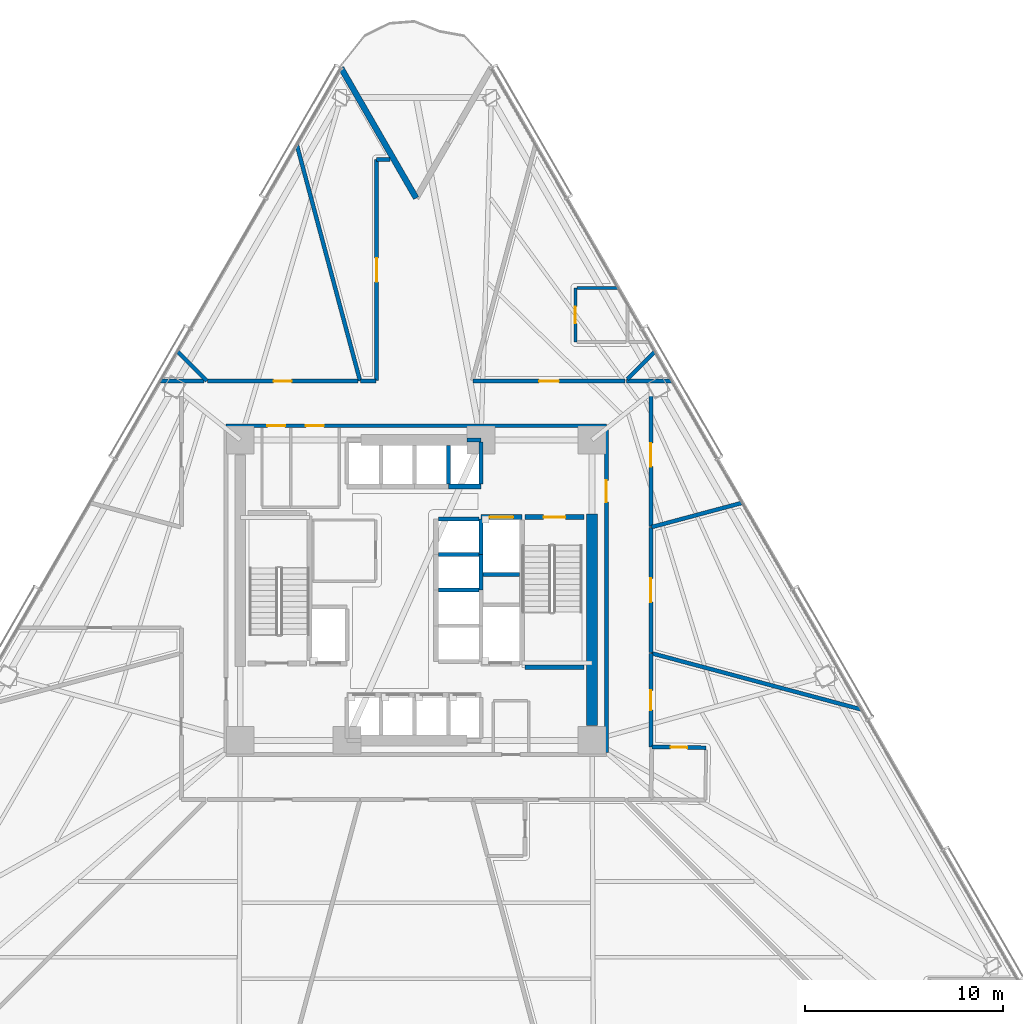
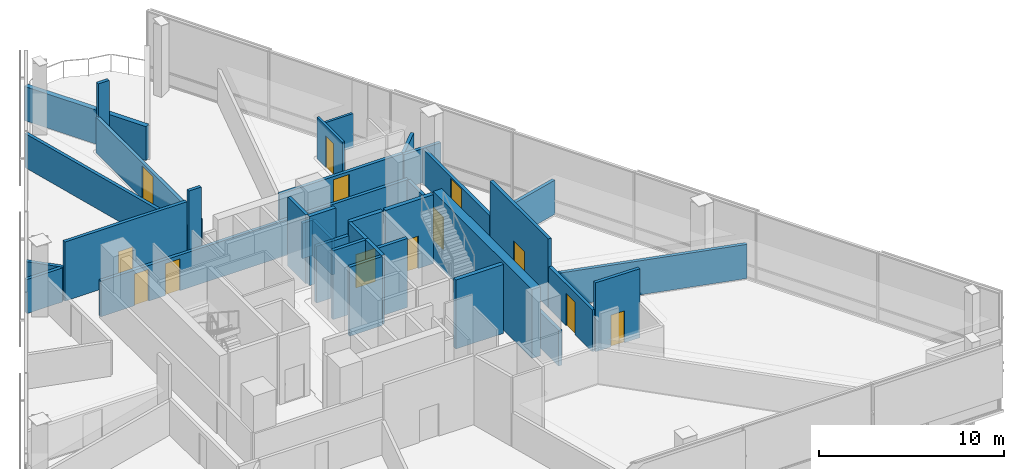
# One storey, part 9 of 17: 35 walls, 13 doors, 13 openings.
"""IFC4 building model written with IfcOpenShell, lengths in metres."""

from ifc_helpers import new_model, si_unit, direction, frame, frame_2d, origin, place, context, subcontext, project, spatial, rectangle, extrude, material, layer, layer_set, type_object, element, fill, save


model = new_model("IFC4")

# Units and contexts
model_context = context("Model", 3, precision=1e-05, world=origin(), true_north=direction((0.0, 1.0)))
body_context = subcontext(model_context, "Body", "Model", "MODEL_VIEW")
ifc_project = project(units=[si_unit("LENGTHUNIT", "METRE"), si_unit("AREAUNIT", "SQUARE_METRE"), si_unit("VOLUMEUNIT", "CUBIC_METRE"), si_unit("PLANEANGLEUNIT", "RADIAN"), si_unit("MASSUNIT", "GRAM", prefix="KILO")], contexts=[model_context])

# Site, building, storey
site_placement = place(None, origin())
site = spatial("IfcSite", under=ifc_project, at=site_placement, CompositionType="ELEMENT")
building_placement = place(site_placement, origin())
building = spatial("IfcBuilding", under=site, at=building_placement, Name="Tharavind Bronze Gate", CompositionType="ELEMENT")
storey_placement = place(building_placement, frame((0.0, 0.0, 52.25)))
storey = spatial("IfcBuildingStorey", under=building, at=storey_placement, Name="L12", CompositionType="ELEMENT", Elevation=52.25)

# Wall
ifc_material_1 = material(Name="Concrete C40/50", Category="concrete")
ifc_layer_1 = layer(ifc_material_1, 0.300048828125)
ifc_layer_set_1 = layer_set([ifc_layer_1], Name="Concrete C40/50")
wall_type_1 = type_object("IfcWallType", Name="EXTERIOR SPANDREL WALL 300", PredefinedType="STANDARD", material=ifc_layer_set_1)
wall_1_placement = place(storey_placement, frame((0.0, 19.83642578125, 0.0), z_axis=(0.0, 0.0, 1.0), x_axis=(-0.500005158081, 0.866022425744, 0.0)))
element("IfcWall", 1, at=wall_1_placement, inside=storey, type_object=wall_type_1, Name="L12 notch cheek wall 1B", PredefinedType="STANDARD", context=body_context, shape_type="SweptSolid", body=[
    extrude(rectangle(XDim=7.60009765625, YDim=0.300048828125, at=frame_2d((3.800048828125, 0.0))), origin(), (0.0, 0.0, 1.0), 2.2548828125),
])

# Wall, openings, doors
ifc_material_2 = material(Name="Aerated Concrete Block", Category="concrete")
ifc_layer_2 = layer(ifc_material_2, 0.199951171875)
ifc_layer_set_2 = layer_set([ifc_layer_2], Name="Aerated Concrete Block")
wall_type_2 = type_object("IfcWallType", Name="FIRE RATED PARTITION 200", PredefinedType="PARTITIONING", material=ifc_layer_set_2)
wall_2_placement = place(storey_placement, frame((9.6201171875, 8.320068359375, 0.0), z_axis=(0.0, 0.0, 1.0), x_axis=(-1.0, 0.0, 0.0)))
wall_2 = element("IfcWall", 2, at=wall_2_placement, inside=storey, type_object=wall_type_2, Name="L12 north core corridor wall", PredefinedType="PARTITIONING", context=body_context, shape_type="SweptSolid", body=[
    extrude(rectangle(XDim=19.240234375, YDim=0.199951171875, at=frame_2d((9.6201171875, 0.0))), origin(), (0.0, 0.0, 1.0), 2.35498046875),
])
opening_1_placement = place(wall_2_placement, frame((16.2451171875, 0.0, 0.0)))
opening_1 = element("IfcOpeningElement", 3, at=opening_1_placement, cuts=wall_2, Name="Opening ID07", PredefinedType="OPENING", context=body_context, shape_type="SweptSolid", body=[
    extrude(rectangle(XDim=0.89990234375, YDim=2.10009765625, at=frame_2d((0.449951171875, 1.050048828125))), frame((0.0, 0.11009765625, 0.0), z_axis=(0.0, -1.0, 0.0), x_axis=(1.0, 0.0, 0.0)), (0.0, 0.0, 1.0), 0.219951171875),
])
opening_2_placement = place(wall_2_placement, frame((14.294921875, 0.0, 0.0)))
opening_2 = element("IfcOpeningElement", 4, at=opening_2_placement, cuts=wall_2, Name="Opening ID07", PredefinedType="OPENING", context=body_context, shape_type="SweptSolid", body=[
    extrude(rectangle(XDim=0.89990234375, YDim=2.10009765625, at=frame_2d((0.449951171875, 1.050048828125))), frame((0.0, 0.11009765625, 0.0), z_axis=(0.0, -1.0, 0.0), x_axis=(1.0, 0.0, 0.0)), (0.0, 0.0, 1.0), 0.219951171875),
])
ifc_material_3 = material(Name="Galvanised Fire Steel", Category="steel")
door_type_1 = type_object("IfcDoorType", Name="PLANT AND RISER FIRE DOOR 900X2100", OperationType="SINGLE_SWING_LEFT", PredefinedType="DOOR", material=ifc_material_3)
door_1_placement = place(opening_1_placement, frame((0.89990234375, 0.0, 0.0), z_axis=(0.0, 0.0, 1.0), x_axis=(-1.0, 0.0, 0.0)))
door_1 = element("IfcDoor", 5, at=door_1_placement, inside=storey, type_object=door_type_1, Name="L12 Battery Backup Cupboard fire door", OperationType="SINGLE_SWING_LEFT", OverallHeight=2.10009765625, OverallWidth=0.89990234375, PredefinedType="DOOR", context=body_context, shape_type="SweptSolid", body=[
    extrude(rectangle(XDim=0.89990234375, YDim=2.10009765625, at=frame_2d((0.449951171875, 1.050048828125))), frame((0.0, 0.02490234375, 0.0), z_axis=(0.0, -1.0, 0.0), x_axis=(1.0, 0.0, 0.0)), (0.0, 0.0, 1.0), 0.050048828125),
])
fill(opening_1, door_1)
door_2_placement = place(opening_2_placement, frame((0.89990234375, 0.0, 0.0), z_axis=(0.0, 0.0, 1.0), x_axis=(-1.0, 0.0, 0.0)))
door_2 = element("IfcDoor", 6, at=door_2_placement, inside=storey, type_object=door_type_1, Name="L12 Cleaner Store Room fire door", OperationType="SINGLE_SWING_LEFT", OverallHeight=2.10009765625, OverallWidth=0.89990234375, PredefinedType="DOOR", context=body_context, shape_type="SweptSolid", body=[
    extrude(rectangle(XDim=0.89990234375, YDim=2.10009765625, at=frame_2d((0.449951171875, 1.050048828125))), frame((0.0, 0.02490234375, 0.0), z_axis=(0.0, -1.0, 0.0), x_axis=(1.0, 0.0, 0.0)), (0.0, 0.0, 1.0), 0.050048828125),
])
fill(opening_2, door_2)

# Wall, opening, door
wall_3_placement = place(storey_placement, frame((9.6201171875, -8.199951171875, 0.0), z_axis=(0.0, 0.0, 1.0), x_axis=(0.0, 1.0, 0.0)))
wall_3 = element("IfcWall", 7, at=wall_3_placement, inside=storey, type_object=wall_type_2, Name="L12 east core corridor wall", PredefinedType="PARTITIONING", context=body_context, shape_type="SweptSolid", body=[
    extrude(rectangle(XDim=16.39990234375, YDim=0.199951171875, at=frame_2d((8.199951171875, 0.0))), origin(), (0.0, 0.0, 1.0), 2.35498046875),
])
opening_3_placement = place(wall_3_placement, frame((12.64990234375, 0.0, 0.0)))
opening_3 = element("IfcOpeningElement", 8, at=opening_3_placement, cuts=wall_3, Name="Opening ID01", PredefinedType="OPENING", context=body_context, shape_type="SweptSolid", body=[
    extrude(rectangle(XDim=1.10009765625, YDim=2.14990234375, at=frame_2d((0.550048828125, 1.074951171875))), frame((0.0, 0.11009765625, 0.0), z_axis=(0.0, -1.0, 0.0), x_axis=(1.0, 0.0, 0.0)), (0.0, 0.0, 1.0), 0.219951171875),
])
ifc_material_4 = material(Name="Fire-Rated Steel", Category="steel")
door_type_2 = type_object("IfcDoorType", Name="STAIR CORE FIRE DOOR 1100X2150", OperationType="SINGLE_SWING_LEFT", PredefinedType="DOOR", material=ifc_material_4)
door_3_placement = place(opening_3_placement, frame((1.10009765625, 0.0, 0.0), z_axis=(0.0, 0.0, 1.0), x_axis=(-1.0, 0.0, 0.0)))
door_3 = element("IfcDoor", 9, at=door_3_placement, inside=storey, type_object=door_type_2, Name="L12 north east stair lobby fire door", OperationType="SINGLE_SWING_LEFT", OverallHeight=2.14990234375, OverallWidth=1.10009765625, PredefinedType="DOOR", context=body_context, shape_type="SweptSolid", body=[
    extrude(rectangle(XDim=1.10009765625, YDim=2.14990234375, at=frame_2d((0.550048828125, 1.074951171875))), frame((0.0, 0.02490234375, 0.0), z_axis=(0.0, -1.0, 0.0), x_axis=(1.0, 0.0, 0.0)), (0.0, 0.0, 1.0), 0.050048828125),
])
fill(opening_3, door_3)

wall_4_placement = place(storey_placement, frame((11.923095703125, -7.930419921875, 0.0), z_axis=(0.0, 0.0, 1.0), x_axis=(0.999868029143, -0.016245747077, 0.0)))
wall_4 = element("IfcWall", 10, at=wall_4_placement, inside=storey, type_object=wall_type_2, Name="L12 En-Suite Bathroom partition", PredefinedType="PARTITIONING", context=body_context, shape_type="SweptSolid", body=[
    extrude(rectangle(XDim=2.75, YDim=0.199951171875, at=frame_2d((1.375, 0.0))), origin(), (0.0, 0.0, 1.0), 4.56005859375),
])
opening_4_placement = place(wall_4_placement, frame((0.949951171875, 0.0, 0.0)))
opening_4 = element("IfcOpeningElement", 11, at=opening_4_placement, cuts=wall_4, Name="Opening ID06", PredefinedType="OPENING", context=body_context, shape_type="SweptSolid", body=[
    extrude(rectangle(XDim=0.85009765625, YDim=2.10009765625, at=frame_2d((0.425048828125, 1.050048828125))), frame((0.0, 0.11009765625, 0.0), z_axis=(0.0, -1.0, 0.0), x_axis=(1.0, 0.0, 0.0)), (0.0, 0.0, 1.0), 0.219951171875),
])
ifc_material_5 = material(Name="Moisture-Resistant Timber", Category="wood")
door_type_3 = type_object("IfcDoorType", Name="BATHROOM PRIVACY DOOR 850X2100", OperationType="SINGLE_SWING_RIGHT", PredefinedType="DOOR", material=ifc_material_5)
door_4_placement = place(opening_4_placement, origin())
door_4 = element("IfcDoor", 12, at=door_4_placement, inside=storey, type_object=door_type_3, Name="L12 En-Suite Bathroom door", OperationType="SINGLE_SWING_RIGHT", OverallHeight=2.10009765625, OverallWidth=0.85009765625, PredefinedType="DOOR", context=body_context, shape_type="SweptSolid", body=[
    extrude(rectangle(XDim=0.85009765625, YDim=2.10009765625, at=frame_2d((0.425048828125, 1.050048828125))), frame((0.0, 0.02490234375, 0.0), z_axis=(0.0, -1.0, 0.0), x_axis=(1.0, 0.0, 0.0)), (0.0, 0.0, 1.0), 0.050048828125),
])
fill(opening_4, door_4)

# Walls
wall_5_placement = place(storey_placement, frame((12.944091796875, 10.580078125, 0.0), z_axis=(0.0, 0.0, 1.0), x_axis=(-1.0, 0.0, 0.0)))
element("IfcWall", 13, at=wall_5_placement, inside=storey, type_object=wall_type_2, Name="L12 Hotel Guest Lounge partition", PredefinedType="PARTITIONING", context=body_context, shape_type="SweptSolid", body=[
    extrude(rectangle(XDim=2.3037109375, YDim=0.199951171875, at=frame_2d((1.15185546875, 0.0))), origin(), (0.0, 0.0, 1.0), 2.2548828125),
])
wall_6_placement = place(storey_placement, frame((10.68505859375, 10.68505859375, 0.0), z_axis=(0.0, 0.0, 1.0), x_axis=(0.707106781187, 0.707106781187, 0.0)))
element("IfcWall", 14, at=wall_6_placement, inside=storey, type_object=wall_type_2, Name="L12 Hotel Guest Lounge partition", PredefinedType="PARTITIONING", context=body_context, shape_type="SweptSolid", body=[
    extrude(rectangle(XDim=1.97119140625, YDim=0.199951171875, at=frame_2d((0.985595703125, 0.0))), origin(), (0.0, 0.0, 1.0), 2.2548828125),
])
wall_7_placement = place(storey_placement, frame((16.5, 4.421142578125, 0.0), z_axis=(0.0, 0.0, 1.0), x_axis=(-0.965923733473, -0.258826855473, 0.0)))
element("IfcWall", 15, at=wall_7_placement, inside=storey, type_object=wall_type_2, Name="L12 Hotel Guest Lounge partition", PredefinedType="PARTITIONING", context=body_context, shape_type="SweptSolid", body=[
    extrude(rectangle(XDim=4.750244140625, YDim=0.199951171875, at=frame_2d((2.375, 0.0))), origin(), (0.0, 0.0, 1.0), 2.2548828125),
])

# Wall, opening, door
wall_8_placement = place(storey_placement, frame((11.8798828125, 3.2158203125, 0.0), z_axis=(0.0, 0.0, 1.0), x_axis=(0.0, 1.0, 0.0)))
wall_8 = element("IfcWall", 16, at=wall_8_placement, inside=storey, type_object=wall_type_2, Name="L12 Hotel Guest Lounge partition", PredefinedType="PARTITIONING", context=body_context, shape_type="SweptSolid", body=[
    extrude(rectangle(XDim=7.25927734375, YDim=0.199951171875, at=frame_2d((3.629638671875, 0.0))), origin(), (0.0, 0.0, 1.0), 2.2548828125),
])
opening_5_placement = place(wall_8_placement, frame((3.030029296875, 0.0, 0.0)))
opening_5 = element("IfcOpeningElement", 17, at=opening_5_placement, cuts=wall_8, Name="Opening ID05", PredefinedType="OPENING", context=body_context, shape_type="SweptSolid", body=[
    extrude(rectangle(XDim=1.199951171875, YDim=2.14990234375, at=frame_2d((0.60009765625, 1.074951171875))), frame((0.0, 0.11009765625, 0.0), z_axis=(0.0, -1.0, 0.0), x_axis=(1.0, 0.0, 0.0)), (0.0, 0.0, 1.0), 0.219951171875),
])
ifc_material_6 = material(Name="Acoustic Laminated Glass", Category="glass")
door_type_4 = type_object("IfcDoorType", Name="MEETING ROOM GLAZED DOOR 1200X2150", OperationType="SINGLE_SWING_LEFT", PredefinedType="DOOR", material=ifc_material_6)
door_5_placement = place(opening_5_placement, origin())
door_5 = element("IfcDoor", 18, at=door_5_placement, inside=storey, type_object=door_type_4, Name="L12 Hotel Guest Lounge door", OperationType="SINGLE_SWING_LEFT", OverallHeight=2.14990234375, OverallWidth=1.199951171875, PredefinedType="DOOR", context=body_context, shape_type="SweptSolid", body=[
    extrude(rectangle(XDim=1.199951171875, YDim=2.14990234375, at=frame_2d((0.60009765625, 1.074951171875))), frame((0.0, 0.02490234375, 0.0), z_axis=(0.0, -1.0, 0.0), x_axis=(1.0, 0.0, 0.0)), (0.0, 0.0, 1.0), 0.050048828125),
])
fill(opening_5, door_5)

wall_9_placement = place(storey_placement, frame((10.569580078125, 10.580078125, 0.0), z_axis=(0.0, 0.0, 1.0), x_axis=(-1.0, 0.0, 0.0)))
wall_9 = element("IfcWall", 19, at=wall_9_placement, inside=storey, type_object=wall_type_2, Name="L12 Royal Hotel Suite partition", PredefinedType="PARTITIONING", context=body_context, shape_type="SweptSolid", body=[
    extrude(rectangle(XDim=7.7021484375, YDim=0.199951171875, at=frame_2d((3.85107421875, 0.0))), origin(), (0.0, 0.0, 1.0), 2.35498046875),
])
opening_6_placement = place(wall_9_placement, frame((3.35107421875, 0.0, 0.0)))
opening_6 = element("IfcOpeningElement", 20, at=opening_6_placement, cuts=wall_9, Name="Opening ID03", PredefinedType="OPENING", context=body_context, shape_type="SweptSolid", body=[
    extrude(rectangle(XDim=1.0, YDim=2.14990234375, at=frame_2d((0.5, 1.074951171875))), frame((0.0, 0.11009765625, 0.0), z_axis=(0.0, -1.0, 0.0), x_axis=(1.0, 0.0, 0.0)), (0.0, 0.0, 1.0), 0.219951171875),
])
ifc_material_7 = material(Name="Solid Timber Veneer", Category="wood")
door_type_5 = type_object("IfcDoorType", Name="HOTEL SUITE ENTRANCE DOOR 1000X2150", OperationType="SINGLE_SWING_LEFT", PredefinedType="DOOR", material=ifc_material_7)
door_6_placement = place(opening_6_placement, origin())
door_6 = element("IfcDoor", 21, at=door_6_placement, inside=storey, type_object=door_type_5, Name="L12 Royal Hotel Suite door", OperationType="SINGLE_SWING_LEFT", OverallHeight=2.14990234375, OverallWidth=1.0, PredefinedType="DOOR", context=body_context, shape_type="SweptSolid", body=[
    extrude(rectangle(XDim=1.0, YDim=2.14990234375, at=frame_2d((0.5, 1.074951171875))), frame((0.0, 0.02490234375, 0.0), z_axis=(0.0, -1.0, 0.0), x_axis=(1.0, 0.0, 0.0)), (0.0, 0.0, 1.0), 0.050048828125),
])
fill(opening_6, door_6)

# Wall
wall_10_placement = place(storey_placement, frame((-1.312744140625, 21.800048828125, 0.0), z_axis=(0.0, 0.0, 1.0), x_axis=(-1.0, 0.0, 0.0)))
element("IfcWall", 22, at=wall_10_placement, inside=storey, type_object=wall_type_2, Name="L12 Hotel Wellness Spa Salon partition", PredefinedType="PARTITIONING", context=body_context, shape_type="SweptSolid", body=[
    extrude(rectangle(XDim=0.686767578125, YDim=0.199951171875, at=frame_2d((0.34326171875, 0.0))), origin(), (0.0, 0.0, 1.0), 4.56005859375),
])

# Wall, opening, door
wall_11_placement = place(storey_placement, frame((-2.0, 21.79931640625, 0.0), z_axis=(0.0, 0.0, 1.0), x_axis=(0.0, -1.0, 0.0)))
wall_11 = element("IfcWall", 23, at=wall_11_placement, inside=storey, type_object=wall_type_2, Name="L12 Hotel Wellness Spa Salon partition", PredefinedType="PARTITIONING", context=body_context, shape_type="SweptSolid", body=[
    extrude(rectangle(XDim=11.1943359375, YDim=0.199951171875, at=frame_2d((5.59716796875, 0.0))), origin(), (0.0, 0.0, 1.0), 2.35498046875),
])
opening_7_placement = place(wall_11_placement, frame((4.9970703125, 0.0, 0.0)))
opening_7 = element("IfcOpeningElement", 24, at=opening_7_placement, cuts=wall_11, Name="Opening ID05", PredefinedType="OPENING", context=body_context, shape_type="SweptSolid", body=[
    extrude(rectangle(XDim=1.199951171875, YDim=2.14990234375, at=frame_2d((0.60009765625, 1.074951171875))), frame((0.0, 0.11009765625, 0.0), z_axis=(0.0, -1.0, 0.0), x_axis=(1.0, 0.0, 0.0)), (0.0, 0.0, 1.0), 0.219951171875),
])
door_7_placement = place(opening_7_placement, origin())
door_7 = element("IfcDoor", 25, at=door_7_placement, inside=storey, type_object=door_type_4, Name="L12 Hotel Wellness Spa Salon door", OperationType="SINGLE_SWING_LEFT", OverallHeight=2.14990234375, OverallWidth=1.199951171875, PredefinedType="DOOR", context=body_context, shape_type="SweptSolid", body=[
    extrude(rectangle(XDim=1.199951171875, YDim=2.14990234375, at=frame_2d((0.60009765625, 1.074951171875))), frame((0.0, 0.02490234375, 0.0), z_axis=(0.0, -1.0, 0.0), x_axis=(1.0, 0.0, 0.0)), (0.0, 0.0, 1.0), 0.050048828125),
])
fill(opening_7, door_7)

# Walls
wall_12_placement = place(storey_placement, frame((-2.02490234375, 10.580078125, 0.0), z_axis=(0.0, 0.0, 1.0), x_axis=(-1.0, 0.0, 0.0)))
element("IfcWall", 26, at=wall_12_placement, inside=storey, type_object=wall_type_2, Name="L12 Hotel Wellness Spa Salon partition", PredefinedType="PARTITIONING", context=body_context, shape_type="SweptSolid", body=[
    extrude(rectangle(XDim=0.790771484375, YDim=0.199951171875, at=frame_2d((0.3955078125, 0.0))), origin(), (0.0, 0.0, 1.0), 4.56005859375),
])
wall_13_placement = place(storey_placement, frame((-2.83984375, 10.598388671875, 0.0), z_axis=(0.0, 0.0, 1.0), x_axis=(-0.258811500911, 0.965927847718, 0.0)))
element("IfcWall", 27, at=wall_13_placement, inside=storey, type_object=wall_type_2, Name="L12 Hotel Wellness Spa Salon partition", PredefinedType="PARTITIONING", context=body_context, shape_type="SweptSolid", body=[
    extrude(rectangle(XDim=12.351806640625, YDim=0.199951171875, at=frame_2d((6.17578125, 0.0))), origin(), (0.0, 0.0, 1.0), 2.2548828125),
])

# Wall, opening, door
wall_14_placement = place(storey_placement, frame((-2.943603515625, 10.580078125, 0.0), z_axis=(0.0, 0.0, 1.0), x_axis=(-1.0, 0.0, 0.0)))
wall_14 = element("IfcWall", 28, at=wall_14_placement, inside=storey, type_object=wall_type_2, Name="L12 Housekeeping & Linen Room partition", PredefinedType="PARTITIONING", context=body_context, shape_type="SweptSolid", body=[
    extrude(rectangle(XDim=7.6259765625, YDim=0.199951171875, at=frame_2d((3.81298828125, 0.0))), origin(), (0.0, 0.0, 1.0), 3.905029296875),
])
opening_8_placement = place(wall_14_placement, frame((3.363037109375, 0.0, 0.0)))
opening_8 = element("IfcOpeningElement", 29, at=opening_8_placement, cuts=wall_14, Name="Opening ID07", PredefinedType="OPENING", context=body_context, shape_type="SweptSolid", body=[
    extrude(rectangle(XDim=0.89990234375, YDim=2.10009765625, at=frame_2d((0.449951171875, 1.050048828125))), frame((0.0, 0.11009765625, 0.0), z_axis=(0.0, -1.0, 0.0), x_axis=(1.0, 0.0, 0.0)), (0.0, 0.0, 1.0), 0.219951171875),
])
door_8_placement = place(opening_8_placement, origin())
door_8 = element("IfcDoor", 30, at=door_8_placement, inside=storey, type_object=door_type_1, Name="L12 Housekeeping & Linen Room door", OperationType="SINGLE_SWING_LEFT", OverallHeight=2.10009765625, OverallWidth=0.89990234375, PredefinedType="DOOR", context=body_context, shape_type="SweptSolid", body=[
    extrude(rectangle(XDim=0.89990234375, YDim=2.10009765625, at=frame_2d((0.449951171875, 1.050048828125))), frame((0.0, 0.02490234375, 0.0), z_axis=(0.0, -1.0, 0.0), x_axis=(1.0, 0.0, 0.0)), (0.0, 0.0, 1.0), 0.050048828125),
])
fill(opening_8, door_8)

# Walls
wall_15_placement = place(storey_placement, frame((-10.58740234375, 10.58740234375, 0.0), z_axis=(0.0, 0.0, 1.0), x_axis=(-0.707106781187, 0.707106781187, 0.0)))
element("IfcWall", 31, at=wall_15_placement, inside=storey, type_object=wall_type_2, Name="L12 Housekeeping & Linen Room partition", PredefinedType="PARTITIONING", context=body_context, shape_type="SweptSolid", body=[
    extrude(rectangle(XDim=2.08984375, YDim=0.199951171875, at=frame_2d((1.044921875, 0.0))), origin(), (0.0, 0.0, 1.0), 2.2548828125),
])
wall_16_placement = place(storey_placement, frame((-10.728515625, 10.580078125, 0.0), z_axis=(0.0, 0.0, 1.0), x_axis=(-1.0, 0.0, 0.0)))
element("IfcWall", 32, at=wall_16_placement, inside=storey, type_object=wall_type_2, Name="L12 Hotel Guest Lounge partition", PredefinedType="PARTITIONING", context=body_context, shape_type="SweptSolid", body=[
    extrude(rectangle(XDim=2.215576171875, YDim=0.199951171875, at=frame_2d((1.10791015625, 0.0))), origin(), (0.0, 0.0, 1.0), 2.2548828125),
])
wall_17_placement = place(storey_placement, frame((11.91162109375, -3.191650390625, 0.0), z_axis=(0.0, 0.0, 1.0), x_axis=(0.965922374415, -0.258831927328, 0.0)))
element("IfcWall", 33, at=wall_17_placement, inside=storey, type_object=wall_type_2, Name="L12 Royal Hotel Suite partition", PredefinedType="PARTITIONING", context=body_context, shape_type="SweptSolid", body=[
    extrude(rectangle(XDim=10.992431640625, YDim=0.199951171875, at=frame_2d((5.49609375, 0.0))), origin(), (0.0, 0.0, 1.0), 2.2548828125),
])

# Wall, opening, door
wall_18_placement = place(storey_placement, frame((11.8798828125, -7.9296875, 0.0), z_axis=(0.0, 0.0, 1.0), x_axis=(0.0, 1.0, 0.0)))
wall_18 = element("IfcWall", 34, at=wall_18_placement, inside=storey, type_object=wall_type_2, Name="L12 Royal Hotel Suite partition", PredefinedType="PARTITIONING", context=body_context, shape_type="SweptSolid", body=[
    extrude(rectangle(XDim=4.7138671875, YDim=0.199951171875, at=frame_2d((2.35693359375, 0.0))), origin(), (0.0, 0.0, 1.0), 2.7548828125),
])
opening_9_placement = place(wall_18_placement, frame((1.85693359375, 0.0, 0.0)))
opening_9 = element("IfcOpeningElement", 35, at=opening_9_placement, cuts=wall_18, Name="Opening ID03", PredefinedType="OPENING", context=body_context, shape_type="SweptSolid", body=[
    extrude(rectangle(XDim=1.0, YDim=2.14990234375, at=frame_2d((0.5, 1.074951171875))), frame((0.0, 0.11009765625, 0.0), z_axis=(0.0, -1.0, 0.0), x_axis=(1.0, 0.0, 0.0)), (0.0, 0.0, 1.0), 0.219951171875),
])
door_9_placement = place(opening_9_placement, origin())
door_9 = element("IfcDoor", 36, at=door_9_placement, inside=storey, type_object=door_type_5, Name="L12 Royal Hotel Suite door", OperationType="SINGLE_SWING_LEFT", OverallHeight=2.14990234375, OverallWidth=1.0, PredefinedType="DOOR", context=body_context, shape_type="SweptSolid", body=[
    extrude(rectangle(XDim=1.0, YDim=2.14990234375, at=frame_2d((0.5, 1.074951171875))), frame((0.0, 0.02490234375, 0.0), z_axis=(0.0, -1.0, 0.0), x_axis=(1.0, 0.0, 0.0)), (0.0, 0.0, 1.0), 0.050048828125),
])
fill(opening_9, door_9)

wall_19_placement = place(storey_placement, frame((11.8798828125, -3.1640625, 0.0), z_axis=(0.0, 0.0, 1.0), x_axis=(0.0, 1.0, 0.0)))
wall_19 = element("IfcWall", 37, at=wall_19_placement, inside=storey, type_object=wall_type_2, Name="L12 Hotel Wellness Spa Salon partition", PredefinedType="PARTITIONING", context=body_context, shape_type="SweptSolid", body=[
    extrude(rectangle(XDim=6.328125, YDim=0.199951171875, at=frame_2d((3.1640625, 0.0))), origin(), (0.0, 0.0, 1.0), 4.56005859375),
])
opening_10_placement = place(wall_19_placement, frame((2.56396484375, 0.0, 0.0)))
opening_10 = element("IfcOpeningElement", 38, at=opening_10_placement, cuts=wall_19, Name="Opening ID05", PredefinedType="OPENING", context=body_context, shape_type="SweptSolid", body=[
    extrude(rectangle(XDim=1.199951171875, YDim=2.14990234375, at=frame_2d((0.60009765625, 1.074951171875))), frame((0.0, 0.11009765625, 0.0), z_axis=(0.0, -1.0, 0.0), x_axis=(1.0, 0.0, 0.0)), (0.0, 0.0, 1.0), 0.219951171875),
])
door_10_placement = place(opening_10_placement, origin())
door_10 = element("IfcDoor", 39, at=door_10_placement, inside=storey, type_object=door_type_4, Name="L12 Hotel Wellness Spa Salon door", OperationType="SINGLE_SWING_LEFT", OverallHeight=2.14990234375, OverallWidth=1.199951171875, PredefinedType="DOOR", context=body_context, shape_type="SweptSolid", body=[
    extrude(rectangle(XDim=1.199951171875, YDim=2.14990234375, at=frame_2d((0.60009765625, 1.074951171875))), frame((0.0, 0.02490234375, 0.0), z_axis=(0.0, -1.0, 0.0), x_axis=(1.0, 0.0, 0.0)), (0.0, 0.0, 1.0), 0.050048828125),
])
fill(opening_10, door_10)

ifc_material_8 = material(Name="Twin Stud Acoustic Gypsum", Category="gypsum")
ifc_layer_3 = layer(ifc_material_8, 0.14990234375)
ifc_layer_set_3 = layer_set([ifc_layer_3], Name="Twin Stud Acoustic Gypsum")
wall_type_3 = type_object("IfcWallType", Name="INTERIOR PARTITION WALL 150", PredefinedType="PARTITIONING", material=ifc_layer_set_3)
wall_20_placement = place(storey_placement, frame((8.050048828125, 12.550048828125, 0.0), z_axis=(0.0, 0.0, 1.0), x_axis=(0.0, 1.0, 0.0)))
wall_20 = element("IfcWall", 40, at=wall_20_placement, inside=storey, type_object=wall_type_3, Name="L12 En-Suite Bathroom partition", PredefinedType="PARTITIONING", context=body_context, shape_type="SweptSolid", body=[
    extrude(rectangle(XDim=2.75, YDim=0.14990234375, at=frame_2d((1.375, 0.0))), origin(), (0.0, 0.0, 1.0), 2.7548828125),
])
opening_11_placement = place(wall_20_placement, frame((0.949951171875, 0.0, 0.0)))
opening_11 = element("IfcOpeningElement", 41, at=opening_11_placement, cuts=wall_20, Name="Opening ID06", PredefinedType="OPENING", context=body_context, shape_type="SweptSolid", body=[
    extrude(rectangle(XDim=0.85009765625, YDim=2.10009765625, at=frame_2d((0.425048828125, 1.050048828125))), frame((0.0, 0.084951171875, 0.0), z_axis=(0.0, -1.0, 0.0), x_axis=(1.0, 0.0, 0.0)), (0.0, 0.0, 1.0), 0.16990234375),
])
door_11_placement = place(opening_11_placement, origin())
door_11 = element("IfcDoor", 42, at=door_11_placement, inside=storey, type_object=door_type_3, Name="L12 En-Suite Bathroom door", OperationType="SINGLE_SWING_RIGHT", OverallHeight=2.10009765625, OverallWidth=0.85009765625, PredefinedType="DOOR", context=body_context, shape_type="SweptSolid", body=[
    extrude(rectangle(XDim=0.85009765625, YDim=2.10009765625, at=frame_2d((0.425048828125, 1.050048828125))), frame((0.0, 0.02490234375, 0.0), z_axis=(0.0, -1.0, 0.0), x_axis=(1.0, 0.0, 0.0)), (0.0, 0.0, 1.0), 0.050048828125),
])
fill(opening_11, door_11)

# Wall
wall_21_placement = place(storey_placement, frame((8.1298828125, 15.300048828125, 0.0), z_axis=(0.0, 0.0, 1.0), x_axis=(1.0, 0.0, 0.0)))
element("IfcWall", 43, at=wall_21_placement, inside=storey, type_object=wall_type_3, Name="L12 En-Suite Bathroom partition", PredefinedType="PARTITIONING", context=body_context, shape_type="SweptSolid", body=[
    extrude(rectangle(XDim=2.089111328125, YDim=0.14990234375, at=frame_2d((1.04443359375, 0.0))), origin(), (0.0, 0.0, 1.0), 2.2548828125),
])

# Wall, opening, door
ifc_material_9 = material(Name="Concrete C50/60", Category="concrete")
ifc_layer_4 = layer(ifc_material_9, 0.25)
ifc_layer_set_4 = layer_set([ifc_layer_4], Name="Concrete C50/60")
wall_type_4 = type_object("IfcWallType", Name="RC CORE SHEAR WALL 250", PredefinedType="SHEAR", material=ifc_layer_set_4)
wall_22_placement = place(storey_placement, frame((5.5, 3.699951171875, 0.0), z_axis=(0.0, 0.0, 1.0), x_axis=(1.0, 0.0, 0.0)))
wall_22 = element("IfcWall", 44, at=wall_22_placement, inside=storey, type_object=wall_type_4, Name="L12 ST2 shaft north wall", PredefinedType="SHEAR", context=body_context, shape_type="SweptSolid", body=[
    extrude(rectangle(XDim=3.0, YDim=0.25, at=frame_2d((1.5, 0.0))), origin(), (0.0, 0.0, 1.0), 4.56005859375),
])
opening_12_placement = place(wall_22_placement, frame((0.949951171875, 0.0, 0.0)))
opening_12 = element("IfcOpeningElement", 45, at=opening_12_placement, cuts=wall_22, Name="Opening ID01", PredefinedType="OPENING", context=body_context, shape_type="SweptSolid", body=[
    extrude(rectangle(XDim=1.10009765625, YDim=2.14990234375, at=frame_2d((0.550048828125, 1.074951171875))), frame((0.0, 0.135, 0.0), z_axis=(0.0, -1.0, 0.0), x_axis=(1.0, 0.0, 0.0)), (0.0, 0.0, 1.0), 0.27),
])
door_12_placement = place(opening_12_placement, frame((1.10009765625, 0.0, 0.0), z_axis=(0.0, 0.0, 1.0), x_axis=(-1.0, 0.0, 0.0)))
door_12 = element("IfcDoor", 46, at=door_12_placement, inside=storey, type_object=door_type_2, Name="L12 exit stair ST2 fire door", OperationType="SINGLE_SWING_LEFT", OverallHeight=2.14990234375, OverallWidth=1.10009765625, PredefinedType="DOOR", context=body_context, shape_type="SweptSolid", body=[
    extrude(rectangle(XDim=1.10009765625, YDim=2.14990234375, at=frame_2d((0.550048828125, 1.074951171875))), frame((0.0, 0.02490234375, 0.0), z_axis=(0.0, -1.0, 0.0), x_axis=(1.0, 0.0, 0.0)), (0.0, 0.0, 1.0), 0.050048828125),
])
fill(opening_12, door_12)

# Walls
wall_23_placement = place(storey_placement, frame((5.5, -3.89990234375, 0.0), z_axis=(0.0, 0.0, 1.0), x_axis=(1.0, 0.0, 0.0)))
element("IfcWall", 47, at=wall_23_placement, inside=storey, type_object=wall_type_4, Name="L12 ST2 shaft south wall", PredefinedType="SHEAR", context=body_context, shape_type="SweptSolid", body=[
    extrude(rectangle(XDim=3.0, YDim=0.25, at=frame_2d((1.5, 0.0))), origin(), (0.0, 0.0, 1.0), 4.56005859375),
])
wall_24_placement = place(storey_placement, frame((1.637451171875, 5.25, 0.0), z_axis=(0.0, 0.0, 1.0), x_axis=(1.0, 0.0, 0.0)))
element("IfcWall", 48, at=wall_24_placement, inside=storey, type_object=wall_type_4, Name="L12 lift PL8 shaft front wall", PredefinedType="SHEAR", context=body_context, shape_type="SweptSolid", body=[
    extrude(rectangle(XDim=1.642578125, YDim=0.25, at=frame_2d((0.8212890625, 0.0))), origin(), (0.0, 0.0, 1.0), 4.56005859375),
])

# Wall, opening, door
wall_25_placement = place(storey_placement, frame((3.280029296875, 3.699951171875, 0.0), z_axis=(0.0, 0.0, 1.0), x_axis=(1.0, 0.0, 0.0)))
wall_25 = element("IfcWall", 49, at=wall_25_placement, inside=storey, type_object=wall_type_4, Name="L12 lift FFL2 shaft front wall", PredefinedType="SHEAR", context=body_context, shape_type="SweptSolid", body=[
    extrude(rectangle(XDim=2.070068359375, YDim=0.25, at=frame_2d((1.03515625, 0.0))), origin(), (0.0, 0.0, 1.0), 4.56005859375),
])
opening_13_placement = place(wall_25_placement, frame((0.43505859375, 0.0, 0.0)))
opening_13 = element("IfcOpeningElement", 50, at=opening_13_placement, cuts=wall_25, Name="Opening LD02", PredefinedType="OPENING", context=body_context, shape_type="SweptSolid", body=[
    extrude(rectangle(XDim=1.199951171875, YDim=2.199951171875, at=frame_2d((0.60009765625, 1.10009765625))), frame((0.0, 0.135, 0.0), z_axis=(0.0, -1.0, 0.0), x_axis=(1.0, 0.0, 0.0)), (0.0, 0.0, 1.0), 0.27),
])
ifc_material_10 = material(Name="Brushed Stainless Steel", Category="steel")
door_type_6 = type_object("IfcDoorType", Name="FIREFIGHTING LIFT LANDING DOOR 1200X2200", OperationType="SLIDING_TO_RIGHT", PredefinedType="DOOR", material=ifc_material_10)
door_13_placement = place(opening_13_placement, origin())
door_13 = element("IfcDoor", 51, at=door_13_placement, inside=storey, type_object=door_type_6, Name="L12 lift FFL2 sliding landing door", OperationType="SLIDING_TO_RIGHT", OverallHeight=2.199951171875, OverallWidth=1.199951171875, PredefinedType="DOOR", context=body_context, shape_type="SweptSolid", body=[
    extrude(rectangle(XDim=1.199951171875, YDim=2.199951171875, at=frame_2d((0.60009765625, 1.10009765625))), frame((0.0, 0.02490234375, 0.0), z_axis=(0.0, -1.0, 0.0), x_axis=(1.0, 0.0, 0.0)), (0.0, 0.0, 1.0), 0.050048828125),
])
fill(opening_13, door_13)

# Walls
ifc_material_11 = material(Name="Concrete C60/75", Category="concrete")
ifc_layer_5 = layer(ifc_material_11, 0.550048828125)
ifc_layer_set_5 = layer_set([ifc_layer_5], Name="Concrete C60/75")
wall_type_5 = type_object("IfcWallType", Name="RC CORE SHEAR WALL 550", PredefinedType="SHEAR", material=ifc_layer_set_5)
wall_26_placement = place(storey_placement, frame((8.89990234375, -6.85009765625, 0.0), z_axis=(0.0, 0.0, 1.0), x_axis=(0.0, 1.0, 0.0)))
element("IfcWall", 52, at=wall_26_placement, inside=storey, type_object=wall_type_5, Name="L12 east core shear wall", PredefinedType="SHEAR", context=body_context, shape_type="SweptSolid", body=[
    extrude(rectangle(XDim=10.7001953125, YDim=0.550048828125, at=frame_2d((5.35009765625, 0.0))), origin(), (0.0, 0.0, 1.0), 4.56005859375),
])
ifc_layer_6 = layer(ifc_material_1, 0.199951171875)
ifc_layer_set_6 = layer_set([ifc_layer_6], Name="Concrete C40/50")
wall_type_6 = type_object("IfcWallType", Name="SHAFT ENCLOSURE WALL 200", PredefinedType="PARTITIONING", material=ifc_layer_set_6)
wall_27_placement = place(storey_placement, frame((1.637451171875, 5.3798828125, 0.0), z_axis=(0.0, 0.0, 1.0), x_axis=(0.0, 1.0, 0.0)))
element("IfcWall", 53, at=wall_27_placement, inside=storey, type_object=wall_type_6, Name="L12 lift PL7 shaft E enclosure wall", PredefinedType="PARTITIONING", context=body_context, shape_type="SweptSolid", body=[
    extrude(rectangle(XDim=1.940185546875, YDim=0.199951171875, at=frame_2d((0.97021484375, 0.0))), origin(), (0.0, 0.0, 1.0), 4.56005859375),
])
wall_28_placement = place(storey_placement, frame((2.580078125, 7.60009765625, 0.0), z_axis=(0.0, 0.0, 1.0), x_axis=(1.0, 0.0, 0.0)))
element("IfcWall", 54, at=wall_28_placement, inside=storey, type_object=wall_type_6, Name="L12 lift PL8 shaft N enclosure wall", PredefinedType="PARTITIONING", context=body_context, shape_type="SweptSolid", body=[
    extrude(rectangle(XDim=0.699951171875, YDim=0.199951171875, at=frame_2d((0.35009765625, 0.0))), origin(), (0.0, 0.0, 1.0), 2.35498046875),
])
wall_29_placement = place(storey_placement, frame((3.280029296875, 5.3798828125, 0.0), z_axis=(0.0, 0.0, 1.0), x_axis=(0.0, 1.0, 0.0)))
element("IfcWall", 55, at=wall_29_placement, inside=storey, type_object=wall_type_6, Name="L12 lift PL8 shaft E enclosure wall", PredefinedType="PARTITIONING", context=body_context, shape_type="SweptSolid", body=[
    extrude(rectangle(XDim=2.115234375, YDim=0.199951171875, at=frame_2d((1.0576171875, 0.0))), origin(), (0.0, 0.0, 1.0), 2.35498046875),
])
wall_30_placement = place(storey_placement, frame((1.1298828125, 0.0, 0.0), z_axis=(0.0, 0.0, 1.0), x_axis=(1.0, 0.0, 0.0)))
element("IfcWall", 56, at=wall_30_placement, inside=storey, type_object=wall_type_6, Name="L12 lift PL10 shaft N enclosure wall", PredefinedType="PARTITIONING", context=body_context, shape_type="SweptSolid", body=[
    extrude(rectangle(XDim=2.045166015625, YDim=0.199951171875, at=frame_2d((1.0224609375, 0.0))), origin(), (0.0, 0.0, 1.0), 4.56005859375),
])
wall_31_placement = place(storey_placement, frame((3.280029296875, 0.0, 0.0), z_axis=(0.0, 0.0, 1.0), x_axis=(0.0, 1.0, 0.0)))
element("IfcWall", 57, at=wall_31_placement, inside=storey, type_object=wall_type_6, Name="L12 lift PL11 shaft E enclosure wall", PredefinedType="PARTITIONING", context=body_context, shape_type="SweptSolid", body=[
    extrude(rectangle(XDim=1.800048828125, YDim=0.199951171875, at=frame_2d((0.89990234375, 0.0))), origin(), (0.0, 0.0, 1.0), 4.56005859375),
])
wall_32_placement = place(storey_placement, frame((1.1298828125, 1.800048828125, 0.0), z_axis=(0.0, 0.0, 1.0), x_axis=(1.0, 0.0, 0.0)))
element("IfcWall", 58, at=wall_32_placement, inside=storey, type_object=wall_type_6, Name="L12 lift PL11 shaft N enclosure wall", PredefinedType="PARTITIONING", context=body_context, shape_type="SweptSolid", body=[
    extrude(rectangle(XDim=2.045166015625, YDim=0.199951171875, at=frame_2d((1.0224609375, 0.0))), origin(), (0.0, 0.0, 1.0), 4.56005859375),
])
wall_33_placement = place(storey_placement, frame((3.280029296875, 1.800048828125, 0.0), z_axis=(0.0, 0.0, 1.0), x_axis=(0.0, 1.0, 0.0)))
element("IfcWall", 59, at=wall_33_placement, inside=storey, type_object=wall_type_6, Name="L12 lift PL12 shaft E enclosure wall", PredefinedType="PARTITIONING", context=body_context, shape_type="SweptSolid", body=[
    extrude(rectangle(XDim=1.800048828125, YDim=0.199951171875, at=frame_2d((0.89990234375, 0.0))), origin(), (0.0, 0.0, 1.0), 4.56005859375),
])
wall_34_placement = place(storey_placement, frame((1.1298828125, 3.60009765625, 0.0), z_axis=(0.0, 0.0, 1.0), x_axis=(1.0, 0.0, 0.0)))
element("IfcWall", 60, at=wall_34_placement, inside=storey, type_object=wall_type_6, Name="L12 lift PL12 shaft N enclosure wall", PredefinedType="PARTITIONING", context=body_context, shape_type="SweptSolid", body=[
    extrude(rectangle(XDim=2.045166015625, YDim=0.199951171875, at=frame_2d((1.0224609375, 0.0))), origin(), (0.0, 0.0, 1.0), 3.7548828125),
])
wall_35_placement = place(storey_placement, frame((3.385009765625, 0.800048828125, 0.0), z_axis=(0.0, 0.0, 1.0), x_axis=(1.0, 0.0, 0.0)))
element("IfcWall", 61, at=wall_35_placement, inside=storey, type_object=wall_type_6, Name="L12 lift FFL2 shaft S enclosure wall", PredefinedType="PARTITIONING", context=body_context, shape_type="SweptSolid", body=[
    extrude(rectangle(XDim=1.8349609375, YDim=0.199951171875, at=frame_2d((0.91748046875, 0.0))), origin(), (0.0, 0.0, 1.0), 4.56005859375),
])

save(model, "model.ifc")
